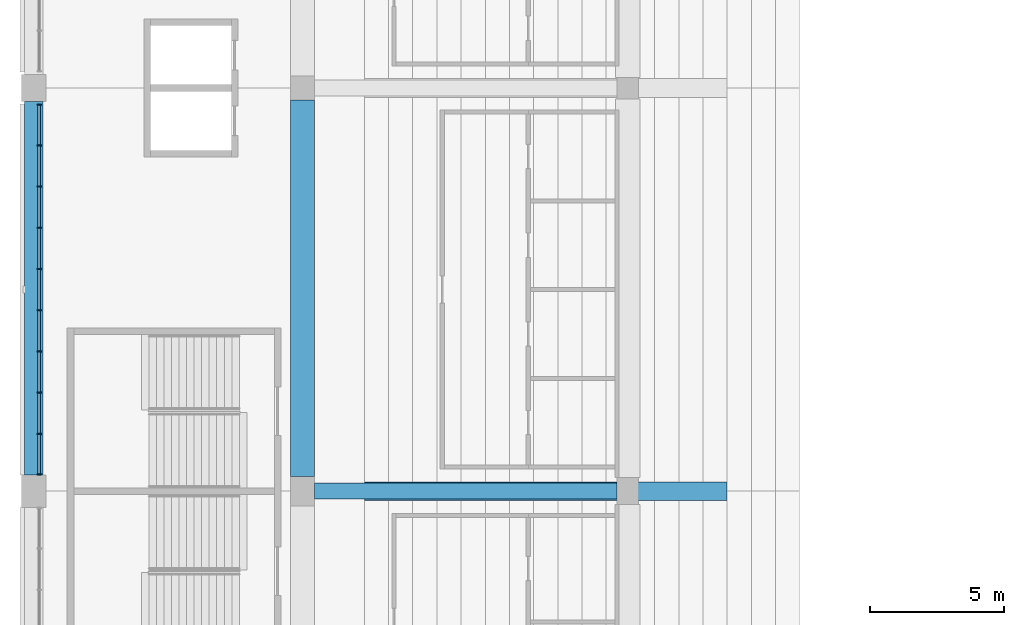
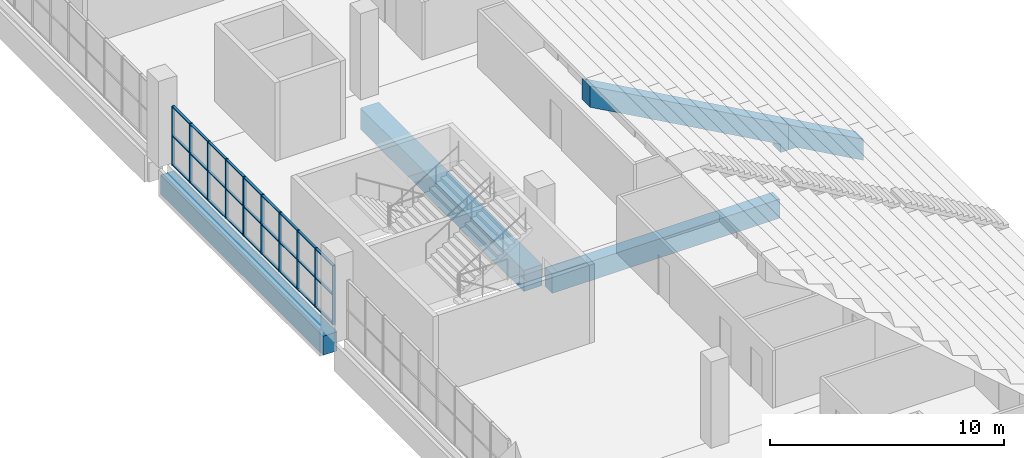
# One storey, part 21 of 249: 37 members, 5 beams, 1 element without a shape of its own.
"""IFC4 building model written with IfcOpenShell, lengths in metres."""

from ifc_helpers import new_model, si_unit, direction, frame, origin, origin_2d, place, context, subcontext, project, spatial, polyline, rectangle, outline, extrude, material, material_profile, profile_set, type_object, element, aggregate, save


model = new_model("IFC4")

# Units and contexts
model_context = context("Model", 3, precision=1e-05, world=origin(), true_north=direction((0.0, 1.0)))
body_context = subcontext(model_context, "Body", "Model", "MODEL_VIEW")
ifc_project = project(units=[si_unit("LENGTHUNIT", "METRE"), si_unit("AREAUNIT", "SQUARE_METRE"), si_unit("VOLUMEUNIT", "CUBIC_METRE"), si_unit("PLANEANGLEUNIT", "RADIAN"), si_unit("MASSUNIT", "GRAM", prefix="KILO")], contexts=[model_context])

# Site, building, storey
site_placement = place(None, origin())
site = spatial("IfcSite", under=ifc_project, at=site_placement, CompositionType="ELEMENT")
building_placement = place(site_placement, origin())
building = spatial("IfcBuilding", under=site, at=building_placement, Name="Ogive Plaza Stadium", CompositionType="ELEMENT")
storey_placement = place(building_placement, frame((0.0, 0.0, 13.5)))
storey = spatial("IfcBuildingStorey", under=building, at=storey_placement, Name="L03", CompositionType="ELEMENT", Elevation=13.5)

# Curtain wall, members
ifc_material_1 = material(Name="Bronze-anodised aluminium with laminated glass", Category="aluminium")
curtain_wall_type = type_object("IfcCurtainWallType", Name="Lancet curtain wall", PredefinedType="NOTDEFINED", material=ifc_material_1)
curtain_wall_placement = place(storey_placement, origin())
curtain_wall = element("IfcCurtainWall", 1, at=curtain_wall_placement, inside=storey, type_object=curtain_wall_type, Name="CURTAIN WALL B24 L03", PredefinedType="NOTDEFINED")
ifc_material_2 = material(Name="Bronze-anodised aluminium", Category="aluminium")
ifc_material_profile_1 = material_profile(ifc_material_2, rectangle(XDim=0.14990234375, YDim=0.050048828125, at=origin_2d()), Name="AL 150x50")
ifc_profile_set_1 = profile_set([ifc_material_profile_1], Name="Bronze-anodised aluminium")
member_type_1 = type_object("IfcMemberType", Name="Curtain wall mullion 50x150", PredefinedType="MULLION", material=ifc_profile_set_1)
member_1_placement = place(storey_placement, frame((-83.800048828125, -6.875, 0.0), z_axis=(0.0, 0.0, 1.0), x_axis=(-1.0, 0.0, 0.0)))
member_1 = element("IfcMember", 2, at=member_1_placement, type_object=member_type_1, Name="CW-B24-L03 mullion 1", PredefinedType="MULLION", context=body_context, shape_type="SweptSolid", body=[
    extrude(rectangle(XDim=0.14990234375, YDim=0.050048828125, at=origin_2d()), origin(), (0.0, 0.0, 1.0), 3.090087890625),
])
member_2_placement = place(storey_placement, frame((-83.800048828125, -5.36669921875, 0.0), z_axis=(0.0, 0.0, 1.0), x_axis=(-1.0, 0.0, 0.0)))
member_2 = element("IfcMember", 3, at=member_2_placement, type_object=member_type_1, Name="CW-B24-L03 mullion 2", PredefinedType="MULLION", context=body_context, shape_type="SweptSolid", body=[
    extrude(rectangle(XDim=0.14990234375, YDim=0.050048828125, at=origin_2d()), origin(), (0.0, 0.0, 1.0), 3.090087890625),
])
member_3_placement = place(storey_placement, frame((-83.800048828125, -3.833251953125, 0.0), z_axis=(0.0, 0.0, 1.0), x_axis=(-1.0, 0.0, 0.0)))
member_3 = element("IfcMember", 4, at=member_3_placement, type_object=member_type_1, Name="CW-B24-L03 mullion 3", PredefinedType="MULLION", context=body_context, shape_type="SweptSolid", body=[
    extrude(rectangle(XDim=0.14990234375, YDim=0.050048828125, at=origin_2d()), origin(), (0.0, 0.0, 1.0), 3.090087890625),
])
member_4_placement = place(storey_placement, frame((-83.800048828125, -2.300048828125, 0.0), z_axis=(0.0, 0.0, 1.0), x_axis=(-1.0, 0.0, 0.0)))
member_4 = element("IfcMember", 5, at=member_4_placement, type_object=member_type_1, Name="CW-B24-L03 mullion 4", PredefinedType="MULLION", context=body_context, shape_type="SweptSolid", body=[
    extrude(rectangle(XDim=0.14990234375, YDim=0.050048828125, at=origin_2d()), origin(), (0.0, 0.0, 1.0), 3.090087890625),
])
member_5_placement = place(storey_placement, frame((-83.800048828125, -0.7666015625, 0.0), z_axis=(0.0, 0.0, 1.0), x_axis=(-1.0, 0.0, 0.0)))
member_5 = element("IfcMember", 6, at=member_5_placement, type_object=member_type_1, Name="CW-B24-L03 mullion 5", PredefinedType="MULLION", context=body_context, shape_type="SweptSolid", body=[
    extrude(rectangle(XDim=0.14990234375, YDim=0.050048828125, at=origin_2d()), origin(), (0.0, 0.0, 1.0), 3.090087890625),
])
member_6_placement = place(storey_placement, frame((-83.800048828125, 0.7666015625, 0.0), z_axis=(0.0, 0.0, 1.0), x_axis=(-1.0, 0.0, 0.0)))
member_6 = element("IfcMember", 7, at=member_6_placement, type_object=member_type_1, Name="CW-B24-L03 mullion 6", PredefinedType="MULLION", context=body_context, shape_type="SweptSolid", body=[
    extrude(rectangle(XDim=0.14990234375, YDim=0.050048828125, at=origin_2d()), origin(), (0.0, 0.0, 1.0), 3.090087890625),
])
member_7_placement = place(storey_placement, frame((-83.800048828125, 2.300048828125, 0.0), z_axis=(0.0, 0.0, 1.0), x_axis=(-1.0, 0.0, 0.0)))
member_7 = element("IfcMember", 8, at=member_7_placement, type_object=member_type_1, Name="CW-B24-L03 mullion 7", PredefinedType="MULLION", context=body_context, shape_type="SweptSolid", body=[
    extrude(rectangle(XDim=0.14990234375, YDim=0.050048828125, at=origin_2d()), origin(), (0.0, 0.0, 1.0), 3.090087890625),
])
member_8_placement = place(storey_placement, frame((-83.800048828125, 3.833251953125, 0.0), z_axis=(0.0, 0.0, 1.0), x_axis=(-1.0, 0.0, 0.0)))
member_8 = element("IfcMember", 9, at=member_8_placement, type_object=member_type_1, Name="CW-B24-L03 mullion 8", PredefinedType="MULLION", context=body_context, shape_type="SweptSolid", body=[
    extrude(rectangle(XDim=0.14990234375, YDim=0.050048828125, at=origin_2d()), origin(), (0.0, 0.0, 1.0), 3.090087890625),
])
member_9_placement = place(storey_placement, frame((-83.800048828125, 5.36669921875, 0.0), z_axis=(0.0, 0.0, 1.0), x_axis=(-1.0, 0.0, 0.0)))
member_9 = element("IfcMember", 10, at=member_9_placement, type_object=member_type_1, Name="CW-B24-L03 mullion 9", PredefinedType="MULLION", context=body_context, shape_type="SweptSolid", body=[
    extrude(rectangle(XDim=0.14990234375, YDim=0.050048828125, at=origin_2d()), origin(), (0.0, 0.0, 1.0), 3.090087890625),
])
member_10_placement = place(storey_placement, frame((-83.800048828125, 6.875, 0.0), z_axis=(0.0, 0.0, 1.0), x_axis=(-1.0, 0.0, 0.0)))
member_10 = element("IfcMember", 11, at=member_10_placement, type_object=member_type_1, Name="CW-B24-L03 mullion 10", PredefinedType="MULLION", context=body_context, shape_type="SweptSolid", body=[
    extrude(rectangle(XDim=0.14990234375, YDim=0.050048828125, at=origin_2d()), origin(), (0.0, 0.0, 1.0), 3.090087890625),
])
ifc_material_3 = material(Name="Bronze-anodised aluminium", Category="aluminium")
ifc_material_profile_2 = material_profile(ifc_material_3, rectangle(XDim=0.1201171875, YDim=0.050048828125, at=origin_2d()), Name="AL 120x50")
ifc_profile_set_2 = profile_set([ifc_material_profile_2], Name="Bronze-anodised aluminium")
member_type_2 = type_object("IfcMemberType", Name="Curtain wall transom 50x120", PredefinedType="USERDEFINED", material=ifc_profile_set_2)
member_11_placement = place(storey_placement, frame((-83.800048828125, -6.85009765625, 0.02490234375), z_axis=(0.0, 1.0, 0.0), x_axis=(-1.0, 0.0, 0.0)))
member_11 = element("IfcMember", 12, at=member_11_placement, type_object=member_type_2, Name="CW-B24-L03 transom 1.1", ObjectType="TRANSOM", PredefinedType="USERDEFINED", context=body_context, shape_type="SweptSolid", body=[
    extrude(rectangle(XDim=0.1201171875, YDim=0.050048828125, at=origin_2d()), origin(), (0.0, 0.0, 1.0), 1.45849609375),
])
member_12_placement = place(storey_placement, frame((-83.800048828125, -6.85009765625, 1.544921875), z_axis=(0.0, 1.0, 0.0), x_axis=(-1.0, 0.0, 0.0)))
member_12 = element("IfcMember", 13, at=member_12_placement, type_object=member_type_2, Name="CW-B24-L03 transom 1.2", ObjectType="TRANSOM", PredefinedType="USERDEFINED", context=body_context, shape_type="SweptSolid", body=[
    extrude(rectangle(XDim=0.1201171875, YDim=0.050048828125, at=origin_2d()), origin(), (0.0, 0.0, 1.0), 1.45849609375),
])
member_13_placement = place(storey_placement, frame((-83.800048828125, -6.85009765625, 3.06494140625), z_axis=(0.0, 1.0, 0.0), x_axis=(-1.0, 0.0, 0.0)))
member_13 = element("IfcMember", 14, at=member_13_placement, type_object=member_type_2, Name="CW-B24-L03 transom 1.3", ObjectType="TRANSOM", PredefinedType="USERDEFINED", context=body_context, shape_type="SweptSolid", body=[
    extrude(rectangle(XDim=0.1201171875, YDim=0.050048828125, at=origin_2d()), origin(), (0.0, 0.0, 1.0), 1.45849609375),
])
member_14_placement = place(storey_placement, frame((-83.800048828125, -5.341552734375, 0.02490234375), z_axis=(0.0, 1.0, 0.0), x_axis=(-1.0, 0.0, 0.0)))
member_14 = element("IfcMember", 15, at=member_14_placement, type_object=member_type_2, Name="CW-B24-L03 transom 2.1", ObjectType="TRANSOM", PredefinedType="USERDEFINED", context=body_context, shape_type="SweptSolid", body=[
    extrude(rectangle(XDim=0.1201171875, YDim=0.050048828125, at=origin_2d()), origin(), (0.0, 0.0, 1.0), 1.483154296875),
])
member_15_placement = place(storey_placement, frame((-83.800048828125, -5.341552734375, 1.544921875), z_axis=(0.0, 1.0, 0.0), x_axis=(-1.0, 0.0, 0.0)))
member_15 = element("IfcMember", 16, at=member_15_placement, type_object=member_type_2, Name="CW-B24-L03 transom 2.2", ObjectType="TRANSOM", PredefinedType="USERDEFINED", context=body_context, shape_type="SweptSolid", body=[
    extrude(rectangle(XDim=0.1201171875, YDim=0.050048828125, at=origin_2d()), origin(), (0.0, 0.0, 1.0), 1.483154296875),
])
member_16_placement = place(storey_placement, frame((-83.800048828125, -5.341552734375, 3.06494140625), z_axis=(0.0, 1.0, 0.0), x_axis=(-1.0, 0.0, 0.0)))
member_16 = element("IfcMember", 17, at=member_16_placement, type_object=member_type_2, Name="CW-B24-L03 transom 2.3", ObjectType="TRANSOM", PredefinedType="USERDEFINED", context=body_context, shape_type="SweptSolid", body=[
    extrude(rectangle(XDim=0.1201171875, YDim=0.050048828125, at=origin_2d()), origin(), (0.0, 0.0, 1.0), 1.483154296875),
])
member_17_placement = place(storey_placement, frame((-83.800048828125, -3.808349609375, 0.02490234375), z_axis=(0.0, 1.0, 0.0), x_axis=(-1.0, 0.0, 0.0)))
member_17 = element("IfcMember", 18, at=member_17_placement, type_object=member_type_2, Name="CW-B24-L03 transom 3.1", ObjectType="TRANSOM", PredefinedType="USERDEFINED", context=body_context, shape_type="SweptSolid", body=[
    extrude(rectangle(XDim=0.1201171875, YDim=0.050048828125, at=origin_2d()), origin(), (0.0, 0.0, 1.0), 1.4833984375),
])
member_18_placement = place(storey_placement, frame((-83.800048828125, -3.808349609375, 1.544921875), z_axis=(0.0, 1.0, 0.0), x_axis=(-1.0, 0.0, 0.0)))
member_18 = element("IfcMember", 19, at=member_18_placement, type_object=member_type_2, Name="CW-B24-L03 transom 3.2", ObjectType="TRANSOM", PredefinedType="USERDEFINED", context=body_context, shape_type="SweptSolid", body=[
    extrude(rectangle(XDim=0.1201171875, YDim=0.050048828125, at=origin_2d()), origin(), (0.0, 0.0, 1.0), 1.4833984375),
])
member_19_placement = place(storey_placement, frame((-83.800048828125, -3.808349609375, 3.06494140625), z_axis=(0.0, 1.0, 0.0), x_axis=(-1.0, 0.0, 0.0)))
member_19 = element("IfcMember", 20, at=member_19_placement, type_object=member_type_2, Name="CW-B24-L03 transom 3.3", ObjectType="TRANSOM", PredefinedType="USERDEFINED", context=body_context, shape_type="SweptSolid", body=[
    extrude(rectangle(XDim=0.1201171875, YDim=0.050048828125, at=origin_2d()), origin(), (0.0, 0.0, 1.0), 1.4833984375),
])
member_20_placement = place(storey_placement, frame((-83.800048828125, -2.27490234375, 0.02490234375), z_axis=(0.0, 1.0, 0.0), x_axis=(-1.0, 0.0, 0.0)))
member_20 = element("IfcMember", 21, at=member_20_placement, type_object=member_type_2, Name="CW-B24-L03 transom 4.1", ObjectType="TRANSOM", PredefinedType="USERDEFINED", context=body_context, shape_type="SweptSolid", body=[
    extrude(rectangle(XDim=0.1201171875, YDim=0.050048828125, at=origin_2d()), origin(), (0.0, 0.0, 1.0), 1.483154296875),
])
member_21_placement = place(storey_placement, frame((-83.800048828125, -2.27490234375, 1.544921875), z_axis=(0.0, 1.0, 0.0), x_axis=(-1.0, 0.0, 0.0)))
member_21 = element("IfcMember", 22, at=member_21_placement, type_object=member_type_2, Name="CW-B24-L03 transom 4.2", ObjectType="TRANSOM", PredefinedType="USERDEFINED", context=body_context, shape_type="SweptSolid", body=[
    extrude(rectangle(XDim=0.1201171875, YDim=0.050048828125, at=origin_2d()), origin(), (0.0, 0.0, 1.0), 1.483154296875),
])
member_22_placement = place(storey_placement, frame((-83.800048828125, -2.27490234375, 3.06494140625), z_axis=(0.0, 1.0, 0.0), x_axis=(-1.0, 0.0, 0.0)))
member_22 = element("IfcMember", 23, at=member_22_placement, type_object=member_type_2, Name="CW-B24-L03 transom 4.3", ObjectType="TRANSOM", PredefinedType="USERDEFINED", context=body_context, shape_type="SweptSolid", body=[
    extrude(rectangle(XDim=0.1201171875, YDim=0.050048828125, at=origin_2d()), origin(), (0.0, 0.0, 1.0), 1.483154296875),
])
member_23_placement = place(storey_placement, frame((-83.800048828125, -0.74169921875, 0.02490234375), z_axis=(0.0, 1.0, 0.0), x_axis=(-1.0, 0.0, 0.0)))
member_23 = element("IfcMember", 24, at=member_23_placement, type_object=member_type_2, Name="CW-B24-L03 transom 5.1", ObjectType="TRANSOM", PredefinedType="USERDEFINED", context=body_context, shape_type="SweptSolid", body=[
    extrude(rectangle(XDim=0.1201171875, YDim=0.050048828125, at=origin_2d()), origin(), (0.0, 0.0, 1.0), 1.4833984375),
])
member_24_placement = place(storey_placement, frame((-83.800048828125, -0.74169921875, 1.544921875), z_axis=(0.0, 1.0, 0.0), x_axis=(-1.0, 0.0, 0.0)))
member_24 = element("IfcMember", 25, at=member_24_placement, type_object=member_type_2, Name="CW-B24-L03 transom 5.2", ObjectType="TRANSOM", PredefinedType="USERDEFINED", context=body_context, shape_type="SweptSolid", body=[
    extrude(rectangle(XDim=0.1201171875, YDim=0.050048828125, at=origin_2d()), origin(), (0.0, 0.0, 1.0), 1.4833984375),
])
member_25_placement = place(storey_placement, frame((-83.800048828125, -0.74169921875, 3.06494140625), z_axis=(0.0, 1.0, 0.0), x_axis=(-1.0, 0.0, 0.0)))
member_25 = element("IfcMember", 26, at=member_25_placement, type_object=member_type_2, Name="CW-B24-L03 transom 5.3", ObjectType="TRANSOM", PredefinedType="USERDEFINED", context=body_context, shape_type="SweptSolid", body=[
    extrude(rectangle(XDim=0.1201171875, YDim=0.050048828125, at=origin_2d()), origin(), (0.0, 0.0, 1.0), 1.4833984375),
])
member_26_placement = place(storey_placement, frame((-83.800048828125, 0.791748046875, 0.02490234375), z_axis=(0.0, 1.0, 0.0), x_axis=(-1.0, 0.0, 0.0)))
member_26 = element("IfcMember", 27, at=member_26_placement, type_object=member_type_2, Name="CW-B24-L03 transom 6.1", ObjectType="TRANSOM", PredefinedType="USERDEFINED", context=body_context, shape_type="SweptSolid", body=[
    extrude(rectangle(XDim=0.1201171875, YDim=0.050048828125, at=origin_2d()), origin(), (0.0, 0.0, 1.0), 1.483154296875),
])
member_27_placement = place(storey_placement, frame((-83.800048828125, 0.791748046875, 1.544921875), z_axis=(0.0, 1.0, 0.0), x_axis=(-1.0, 0.0, 0.0)))
member_27 = element("IfcMember", 28, at=member_27_placement, type_object=member_type_2, Name="CW-B24-L03 transom 6.2", ObjectType="TRANSOM", PredefinedType="USERDEFINED", context=body_context, shape_type="SweptSolid", body=[
    extrude(rectangle(XDim=0.1201171875, YDim=0.050048828125, at=origin_2d()), origin(), (0.0, 0.0, 1.0), 1.483154296875),
])
member_28_placement = place(storey_placement, frame((-83.800048828125, 0.791748046875, 3.06494140625), z_axis=(0.0, 1.0, 0.0), x_axis=(-1.0, 0.0, 0.0)))
member_28 = element("IfcMember", 29, at=member_28_placement, type_object=member_type_2, Name="CW-B24-L03 transom 6.3", ObjectType="TRANSOM", PredefinedType="USERDEFINED", context=body_context, shape_type="SweptSolid", body=[
    extrude(rectangle(XDim=0.1201171875, YDim=0.050048828125, at=origin_2d()), origin(), (0.0, 0.0, 1.0), 1.483154296875),
])
member_29_placement = place(storey_placement, frame((-83.800048828125, 2.324951171875, 0.02490234375), z_axis=(0.0, 1.0, 0.0), x_axis=(-1.0, 0.0, 0.0)))
member_29 = element("IfcMember", 30, at=member_29_placement, type_object=member_type_2, Name="CW-B24-L03 transom 7.1", ObjectType="TRANSOM", PredefinedType="USERDEFINED", context=body_context, shape_type="SweptSolid", body=[
    extrude(rectangle(XDim=0.1201171875, YDim=0.050048828125, at=origin_2d()), origin(), (0.0, 0.0, 1.0), 1.4833984375),
])
member_30_placement = place(storey_placement, frame((-83.800048828125, 2.324951171875, 1.544921875), z_axis=(0.0, 1.0, 0.0), x_axis=(-1.0, 0.0, 0.0)))
member_30 = element("IfcMember", 31, at=member_30_placement, type_object=member_type_2, Name="CW-B24-L03 transom 7.2", ObjectType="TRANSOM", PredefinedType="USERDEFINED", context=body_context, shape_type="SweptSolid", body=[
    extrude(rectangle(XDim=0.1201171875, YDim=0.050048828125, at=origin_2d()), origin(), (0.0, 0.0, 1.0), 1.4833984375),
])
member_31_placement = place(storey_placement, frame((-83.800048828125, 2.324951171875, 3.06494140625), z_axis=(0.0, 1.0, 0.0), x_axis=(-1.0, 0.0, 0.0)))
member_31 = element("IfcMember", 32, at=member_31_placement, type_object=member_type_2, Name="CW-B24-L03 transom 7.3", ObjectType="TRANSOM", PredefinedType="USERDEFINED", context=body_context, shape_type="SweptSolid", body=[
    extrude(rectangle(XDim=0.1201171875, YDim=0.050048828125, at=origin_2d()), origin(), (0.0, 0.0, 1.0), 1.4833984375),
])
member_32_placement = place(storey_placement, frame((-83.800048828125, 3.8583984375, 0.02490234375), z_axis=(0.0, 1.0, 0.0), x_axis=(-1.0, 0.0, 0.0)))
member_32 = element("IfcMember", 33, at=member_32_placement, type_object=member_type_2, Name="CW-B24-L03 transom 8.1", ObjectType="TRANSOM", PredefinedType="USERDEFINED", context=body_context, shape_type="SweptSolid", body=[
    extrude(rectangle(XDim=0.1201171875, YDim=0.050048828125, at=origin_2d()), origin(), (0.0, 0.0, 1.0), 1.483154296875),
])
member_33_placement = place(storey_placement, frame((-83.800048828125, 3.8583984375, 1.544921875), z_axis=(0.0, 1.0, 0.0), x_axis=(-1.0, 0.0, 0.0)))
member_33 = element("IfcMember", 34, at=member_33_placement, type_object=member_type_2, Name="CW-B24-L03 transom 8.2", ObjectType="TRANSOM", PredefinedType="USERDEFINED", context=body_context, shape_type="SweptSolid", body=[
    extrude(rectangle(XDim=0.1201171875, YDim=0.050048828125, at=origin_2d()), origin(), (0.0, 0.0, 1.0), 1.483154296875),
])
member_34_placement = place(storey_placement, frame((-83.800048828125, 3.8583984375, 3.06494140625), z_axis=(0.0, 1.0, 0.0), x_axis=(-1.0, 0.0, 0.0)))
member_34 = element("IfcMember", 35, at=member_34_placement, type_object=member_type_2, Name="CW-B24-L03 transom 8.3", ObjectType="TRANSOM", PredefinedType="USERDEFINED", context=body_context, shape_type="SweptSolid", body=[
    extrude(rectangle(XDim=0.1201171875, YDim=0.050048828125, at=origin_2d()), origin(), (0.0, 0.0, 1.0), 1.483154296875),
])
member_35_placement = place(storey_placement, frame((-83.800048828125, 5.3916015625, 0.02490234375), z_axis=(0.0, 1.0, 0.0), x_axis=(-1.0, 0.0, 0.0)))
member_35 = element("IfcMember", 36, at=member_35_placement, type_object=member_type_2, Name="CW-B24-L03 transom 9.1", ObjectType="TRANSOM", PredefinedType="USERDEFINED", context=body_context, shape_type="SweptSolid", body=[
    extrude(rectangle(XDim=0.1201171875, YDim=0.050048828125, at=origin_2d()), origin(), (0.0, 0.0, 1.0), 1.45849609375),
])
member_36_placement = place(storey_placement, frame((-83.800048828125, 5.3916015625, 1.544921875), z_axis=(0.0, 1.0, 0.0), x_axis=(-1.0, 0.0, 0.0)))
member_36 = element("IfcMember", 37, at=member_36_placement, type_object=member_type_2, Name="CW-B24-L03 transom 9.2", ObjectType="TRANSOM", PredefinedType="USERDEFINED", context=body_context, shape_type="SweptSolid", body=[
    extrude(rectangle(XDim=0.1201171875, YDim=0.050048828125, at=origin_2d()), origin(), (0.0, 0.0, 1.0), 1.45849609375),
])
member_37_placement = place(storey_placement, frame((-83.800048828125, 5.3916015625, 3.06494140625), z_axis=(0.0, 1.0, 0.0), x_axis=(-1.0, 0.0, 0.0)))
member_37 = element("IfcMember", 38, at=member_37_placement, type_object=member_type_2, Name="CW-B24-L03 transom 9.3", ObjectType="TRANSOM", PredefinedType="USERDEFINED", context=body_context, shape_type="SweptSolid", body=[
    extrude(rectangle(XDim=0.1201171875, YDim=0.050048828125, at=origin_2d()), origin(), (0.0, 0.0, 1.0), 1.45849609375),
])
aggregate(curtain_wall, [member_1, member_2, member_3, member_4, member_5, member_6, member_7, member_8, member_9, member_10, member_11, member_12, member_13, member_14, member_15, member_16, member_17, member_18, member_19, member_20, member_21, member_22, member_23, member_24, member_25, member_26, member_27, member_28, member_29, member_30, member_31, member_32, member_33, member_34, member_35, member_36, member_37])

# Beams
ifc_material_4 = material(Name="Concrete C45/55 precast", Category="concrete")
ifc_material_profile_3 = material_profile(ifc_material_4, rectangle(XDim=0.699951171875, YDim=1.10009765625, at=origin_2d()), Name="RC 700x1100")
ifc_profile_set_3 = profile_set([ifc_material_profile_3], Name="Concrete C45/55 precast")
beam_type_1 = type_object("IfcBeamType", Name="Precast raker UT back-span 700x1100", PredefinedType="USERDEFINED", material=ifc_profile_set_3)
beam_1_placement = place(storey_placement, frame((-34.0, -7.5, -13.5), z_axis=(0.0, 0.0, 1.0), x_axis=(-1.0, 0.0, 0.0)))
element("IfcBeam", 39, at=beam_1_placement, inside=storey, type_object=beam_type_1, Name="RAKER UT BACK-SPAN R24", ObjectType="RAKER", PredefinedType="USERDEFINED", context=body_context, shape_type="SweptSolid", body=[
    extrude(outline(polyline([(27.89990234375, 15.533203125), (28.300048828125, 15.533203125), (28.300048828125, 15.977783203125), (37.699951171875, 21.199951171875), (37.699951171875, 22.300048828125), (27.89990234375, 16.855712890625), (27.89990234375, 15.533203125)])), frame((0.0, 0.35009765625, 0.0), z_axis=(0.0, -1.0, 0.0), x_axis=(1.0, 0.0, 0.0)), (0.0, 0.0, 1.0), 0.699951171875),
])
ifc_material_5 = material(Name="Concrete C45/55 precast", Category="concrete")
ifc_material_profile_4 = material_profile(ifc_material_5, rectangle(XDim=0.699951171875, YDim=1.10009765625, at=origin_2d()), Name="RC 700x1100")
ifc_profile_set_4 = profile_set([ifc_material_profile_4], Name="Concrete C45/55 precast")
beam_type_2 = type_object("IfcBeamType", Name="Precast raker UT cantilever 700x1100", PredefinedType="USERDEFINED", material=ifc_profile_set_4)
beam_2_placement = place(storey_placement, frame((-34.0, -7.5, -13.5), z_axis=(0.0, 0.0, 1.0), x_axis=(-1.0, 0.0, 0.0)))
element("IfcBeam", 40, at=beam_2_placement, inside=storey, type_object=beam_type_2, Name="RAKER UT CANTILEVER R24", ObjectType="RAKER", PredefinedType="USERDEFINED", context=body_context, shape_type="SweptSolid", body=[
    extrude(outline(polyline([(24.199951171875, 13.699951171875), (27.5, 15.533203125), (27.89990234375, 15.533203125), (27.89990234375, 16.855712890625), (24.199951171875, 14.800048828125), (24.199951171875, 13.699951171875)])), frame((0.0, 0.35009765625, 0.0), z_axis=(0.0, -1.0, 0.0), x_axis=(1.0, 0.0, 0.0)), (0.0, 0.0, 1.0), 0.699951171875),
])
ifc_material_6 = material(Name="Concrete C40/50", Category="concrete")
ifc_material_profile_5 = material_profile(ifc_material_6, rectangle(XDim=0.60009765625, YDim=1.0, at=origin_2d()), Name="RC 600x1000")
ifc_profile_set_5 = profile_set([ifc_material_profile_5], Name="Concrete C40/50")
beam_type_3 = type_object("IfcBeamType", Name="RC radial beam 600x1000", PredefinedType="BEAM", material=ifc_profile_set_5)
beam_3_placement = place(storey_placement, frame((-62.300048828125, -7.5, -0.909912109375), z_axis=(-1.0, 0.0, 0.0), x_axis=(0.0, -1.0, 0.0)))
element("IfcBeam", 41, at=beam_3_placement, inside=storey, type_object=beam_type_3, Name="Radial beam L03 R24 F3F4", PredefinedType="BEAM", context=body_context, shape_type="SweptSolid", body=[
    extrude(rectangle(XDim=0.60009765625, YDim=1.0, at=origin_2d()), origin(), (0.0, 0.0, 1.0), 11.25),
])
ifc_material_7 = material(Name="Concrete C40/50", Category="concrete")
ifc_material_profile_6 = material_profile(ifc_material_7, rectangle(XDim=0.89990234375, YDim=1.10009765625, at=origin_2d()), Name="RC 900x1100")
ifc_profile_set_6 = profile_set([ifc_material_profile_6], Name="Concrete C40/50")
beam_type_4 = type_object("IfcBeamType", Name="RC ring beam 900x1100", PredefinedType="BEAM", material=ifc_profile_set_6)
beam_4_placement = place(storey_placement, frame((-74.0, -6.949951171875, -0.9599609375), z_axis=(0.0, 1.0, 0.0), x_axis=(-1.0, 0.0, 0.0)))
element("IfcBeam", 42, at=beam_4_placement, inside=storey, type_object=beam_type_4, Name="Ring beam F4 L03 B24", PredefinedType="BEAM", context=body_context, shape_type="SweptSolid", body=[
    extrude(rectangle(XDim=0.89990234375, YDim=1.10009765625, at=origin_2d()), origin(), (0.0, 0.0, 1.0), 14.0),
])
ifc_material_8 = material(Name="Concrete C40/50", Category="concrete")
ifc_material_profile_7 = material_profile(ifc_material_8, rectangle(XDim=0.699951171875, YDim=1.0, at=origin_2d()), Name="RC 700x1000")
ifc_profile_set_7 = profile_set([ifc_material_profile_7], Name="Concrete C40/50")
beam_type_5 = type_object("IfcBeamType", Name="RC spandrel beam 700x1000", PredefinedType="SPANDREL", material=ifc_profile_set_7)
beam_5_placement = place(storey_placement, frame((-84.0, -6.89990234375, -0.909912109375), z_axis=(0.0, 1.0, 0.0), x_axis=(-1.0, 0.0, 0.0)))
element("IfcBeam", 43, at=beam_5_placement, inside=storey, type_object=beam_type_5, Name="Ring beam F5 L03 B24", PredefinedType="SPANDREL", context=body_context, shape_type="SweptSolid", body=[
    extrude(rectangle(XDim=0.699951171875, YDim=1.0, at=origin_2d()), origin(), (0.0, 0.0, 1.0), 13.89990234375),
])

save(model, "model.ifc")
